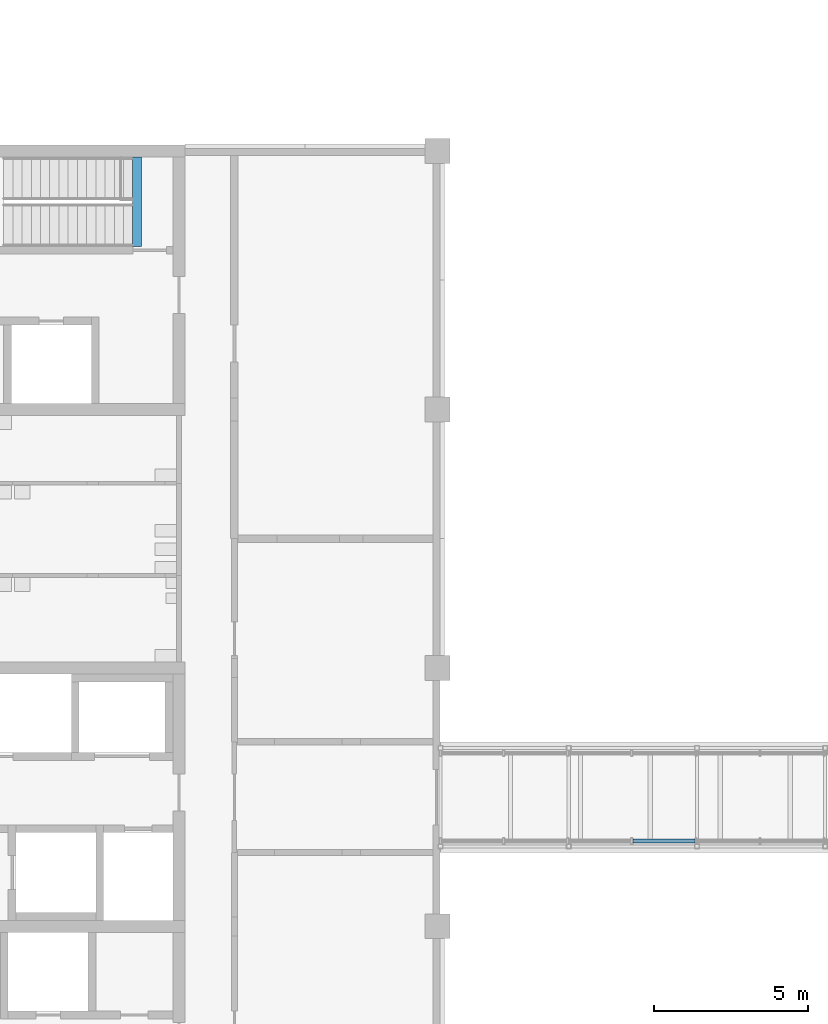
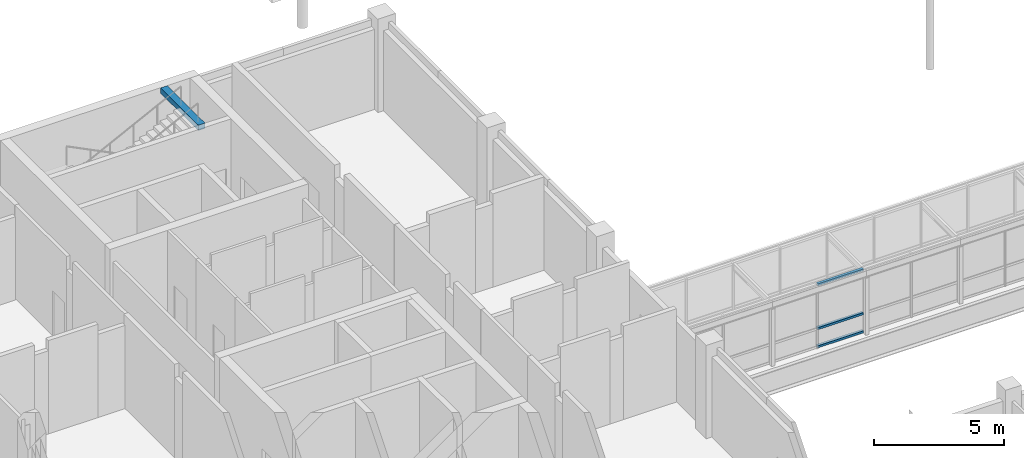
# One storey, part 11 of 70: 3 members, 1 beam, 1 element without a shape of its own.
"""IFC4 building model written with IfcOpenShell, lengths in metres."""

from ifc_helpers import new_model, si_unit, direction, frame, origin, origin_2d, place, context, subcontext, project, spatial, rectangle, extrude, material, material_profile, profile_set, type_object, element, aggregate, save


model = new_model("IFC4")

# Units and contexts
model_context = context("Model", 3, precision=1e-05, world=origin(), true_north=direction((0.0, 1.0)))
body_context = subcontext(model_context, "Body", "Model", "MODEL_VIEW")
ifc_project = project(units=[si_unit("LENGTHUNIT", "METRE"), si_unit("AREAUNIT", "SQUARE_METRE"), si_unit("VOLUMEUNIT", "CUBIC_METRE"), si_unit("PLANEANGLEUNIT", "RADIAN"), si_unit("MASSUNIT", "GRAM", prefix="KILO")], contexts=[model_context])

# Site, building, storey
site_placement = place(None, origin())
site = spatial("IfcSite", under=ifc_project, at=site_placement, CompositionType="ELEMENT")
building_placement = place(site_placement, origin())
building = spatial("IfcBuilding", under=site, at=building_placement, Name="Hlaing Beacon Police Headquarters", CompositionType="ELEMENT")
storey_placement = place(building_placement, frame((0.0, 0.0, 5.39990234375)))
storey = spatial("IfcBuildingStorey", under=building, at=storey_placement, Name="L01", CompositionType="ELEMENT", Elevation=5.39990234375)

# Beam
ifc_material_1 = material(Name="Concrete C40/50", Category="concrete")
ifc_material_profile_1 = material_profile(ifc_material_1, rectangle(XDim=0.300048828125, YDim=0.25, at=origin_2d()), Name="Stair arrival beam 300x250")
ifc_profile_set_1 = profile_set([ifc_material_profile_1], Name="Concrete C40/50")
beam_type = type_object("IfcBeamType", Name="Stair arrival beam 300x250", PredefinedType="BEAM", material=ifc_profile_set_1)
beam_placement = place(storey_placement, frame((23.840087890625, 67.0, 4.2451171875), z_axis=(0.0, -1.0, 0.0), x_axis=(1.0, 0.0, 0.0)))
element("IfcBeam", 1, at=beam_placement, inside=storey, type_object=beam_type, Name="Stair arrival beam ST-P", PredefinedType="BEAM", context=body_context, shape_type="SweptSolid", body=[
    extrude(rectangle(XDim=0.300048828125, YDim=0.25, at=origin_2d()), origin(), (0.0, 0.0, 1.0), 2.89990234375),
])

# Curtain wall, members
ifc_material_2 = material(Name="Aluminium frame with solar control glazing", Category="aluminium")
curtain_wall_type = type_object("IfcCurtainWallType", Name="Unitised curtain wall 24.98 x 3.00", PredefinedType="NOTDEFINED", material=ifc_material_2)
curtain_wall_placement = place(storey_placement, origin())
curtain_wall = element("IfcCurtainWall", 2, at=curtain_wall_placement, inside=storey, type_object=curtain_wall_type, Name="ENV-BG-BR1-A-32", PredefinedType="NOTDEFINED")
ifc_material_3 = material(Name="Aluminium", Category="aluminium")
ifc_material_profile_2 = material_profile(ifc_material_3, rectangle(XDim=0.1201171875, YDim=0.10009765625, at=origin_2d()), Name="Transom 120x100")
ifc_profile_set_2 = profile_set([ifc_material_profile_2], Name="Aluminium")
member_type = type_object("IfcMemberType", Name="Transom 120x100", PredefinedType="USERDEFINED", material=ifc_profile_set_2)
member_1_placement = place(storey_placement, frame((39.94873046875, 44.776123046875, 0.050048828125), z_axis=(1.0, 0.0, 0.0), x_axis=(0.0, 1.0, 0.0)))
member_1 = element("IfcMember", 3, at=member_1_placement, type_object=member_type, Name="BG-BR1-A-32 transom 4.1", ObjectType="TRANSOM", PredefinedType="USERDEFINED", context=body_context, shape_type="SweptSolid", body=[
    extrude(rectangle(XDim=0.1201171875, YDim=0.10009765625, at=origin_2d()), origin(), (0.0, 0.0, 1.0), 2.021240234375),
])
member_2_placement = place(storey_placement, frame((39.94873046875, 44.776123046875, 0.900146484375), z_axis=(1.0, 0.0, 0.0), x_axis=(0.0, 1.0, 0.0)))
member_2 = element("IfcMember", 4, at=member_2_placement, type_object=member_type, Name="BG-BR1-A-32 transom 4.2", ObjectType="TRANSOM", PredefinedType="USERDEFINED", context=body_context, shape_type="SweptSolid", body=[
    extrude(rectangle(XDim=0.1201171875, YDim=0.10009765625, at=origin_2d()), origin(), (0.0, 0.0, 1.0), 2.021240234375),
])
member_3_placement = place(storey_placement, frame((39.94873046875, 44.776123046875, 2.9501953125), z_axis=(1.0, 0.0, 0.0), x_axis=(0.0, 1.0, 0.0)))
member_3 = element("IfcMember", 5, at=member_3_placement, type_object=member_type, Name="BG-BR1-A-32 transom 4.3", ObjectType="TRANSOM", PredefinedType="USERDEFINED", context=body_context, shape_type="SweptSolid", body=[
    extrude(rectangle(XDim=0.1201171875, YDim=0.10009765625, at=origin_2d()), origin(), (0.0, 0.0, 1.0), 2.021240234375),
])
aggregate(curtain_wall, [member_1, member_2, member_3])

save(model, "model.ifc")
